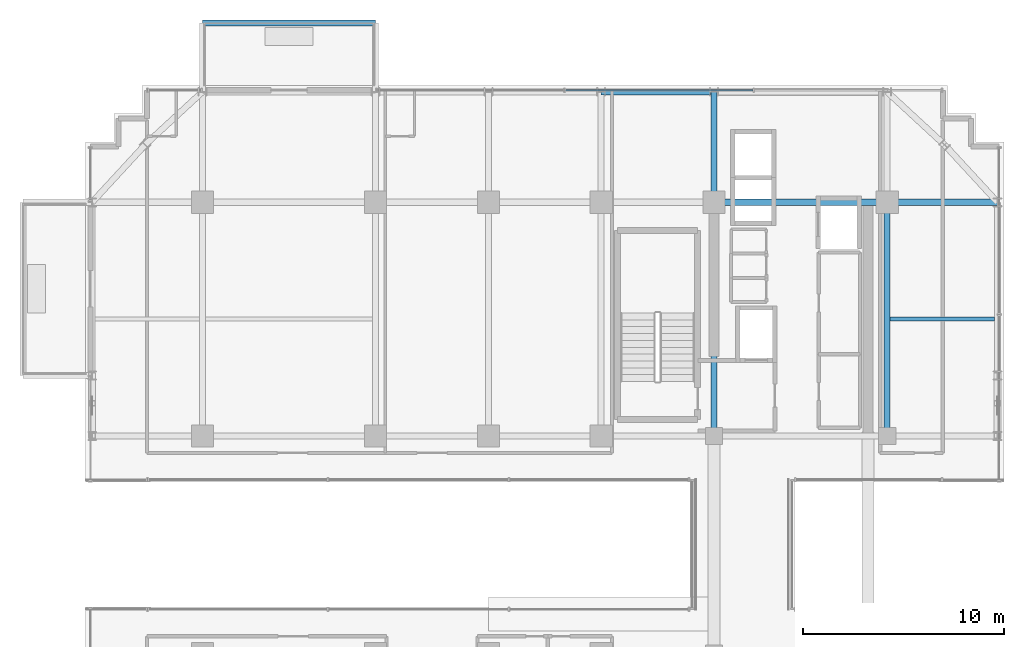
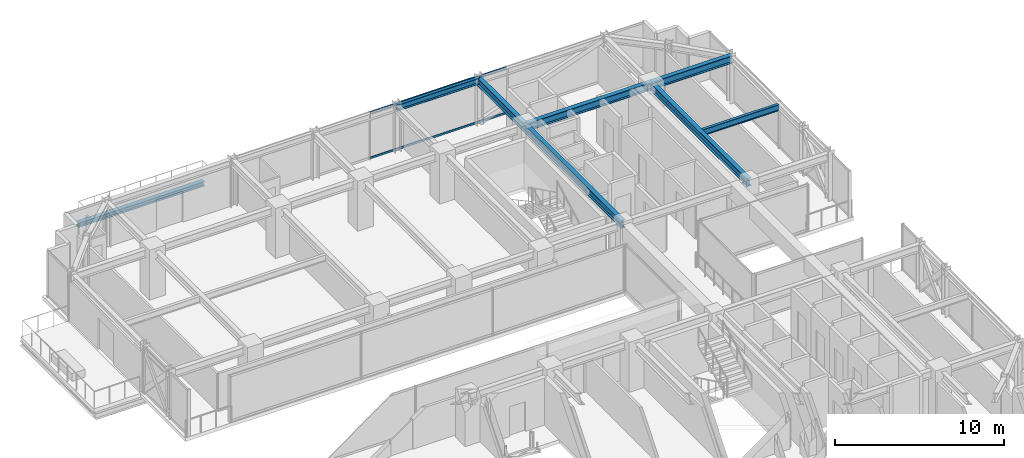
# One storey, part 26 of 37: 8 beams, 2 members, 1 element without a shape of its own.
"""IFC4 building model written with IfcOpenShell, lengths in metres."""

from ifc_helpers import new_model, si_unit, direction, frame, origin, origin_2d, place, context, subcontext, project, spatial, hollow_rectangle, i_section, extrude, source, transform, mapped, material, material_profile, profile_set, type_object, element, aggregate, save


model = new_model("IFC4")

# Units and contexts
model_context = context("Model", 3, precision=1e-05, world=origin(), true_north=direction((0.0, 1.0)))
body_context = subcontext(model_context, "Body", "Model", "MODEL_VIEW")
ifc_project = project(units=[si_unit("LENGTHUNIT", "METRE"), si_unit("AREAUNIT", "SQUARE_METRE"), si_unit("VOLUMEUNIT", "CUBIC_METRE"), si_unit("PLANEANGLEUNIT", "RADIAN"), si_unit("MASSUNIT", "GRAM", prefix="KILO")], contexts=[model_context])

# Site, building, storey
site_placement = place(None, origin())
site = spatial("IfcSite", under=ifc_project, at=site_placement, CompositionType="ELEMENT")
building_placement = place(site_placement, origin())
building = spatial("IfcBuilding", under=site, at=building_placement, Name="Nahalor Promenade Grand Hotel", CompositionType="ELEMENT")
storey_placement = place(building_placement, frame((0.0, 0.0, 167.25)))
storey = spatial("IfcBuildingStorey", under=building, at=storey_placement, Name="L42", CompositionType="ELEMENT", Elevation=167.25)

# Beams
ifc_material_1 = material(Name="Steel S355JR", Category="steel")
ifc_material_profile_1 = material_profile(ifc_material_1, i_section(OverallWidth=0.3, OverallDepth=0.32, WebThickness=0.0115, FlangeThickness=0.0205, at=origin_2d()), Name="HEB 320")
ifc_profile_set_1 = profile_set([ifc_material_profile_1], Name="Steel S355JR")
beam_type_1 = type_object("IfcBeamType", Name="Beam-BalcEdge-HEB320", PredefinedType="SPANDREL", material=ifc_profile_set_1)
shared_shape_1 = source(origin(), body_context, "Body", "SweptSolid", [
    extrude(i_section(OverallWidth=0.3, OverallDepth=0.32, WebThickness=0.0115, FlangeThickness=0.0205, at=origin_2d()), origin(), (0.0, 0.0, 1.0), 8.60009765625),
])
beam_1_placement = place(storey_placement, frame((-17.0, 25.89990234375, -0.43994140625), z_axis=(1.0, 0.0, 0.0), x_axis=(0.0, 1.0, 0.0)))
element("IfcBeam", 1, at=beam_1_placement, inside=storey, type_object=beam_type_1, Name="BM-L42-BC-01-F", PredefinedType="SPANDREL", context=body_context, shape_type="MappedRepresentation", body=[
    mapped(shared_shape_1, transform((0.0, 0.0, 0.0), scale=1.0)),
])
ifc_material_profile_2 = material_profile(ifc_material_1, i_section(OverallWidth=0.3, OverallDepth=0.55, WebThickness=0.015, FlangeThickness=0.029, at=origin_2d()), Name="HEB 550")
ifc_profile_set_2 = profile_set([ifc_material_profile_2], Name="Steel S355JR")
beam_type_2 = type_object("IfcBeamType", Name="Beam-Girder-HEB550", PredefinedType="BEAM", material=ifc_profile_set_2)
shared_shape_2 = source(origin(), body_context, "Body", "SweptSolid", [
    extrude(i_section(OverallWidth=0.3, OverallDepth=0.55, WebThickness=0.015, FlangeThickness=0.029, at=origin_2d()), origin(), (0.0, 0.0, 1.0), 8.60009765625),
])
beam_2_placement = place(storey_placement, frame((8.39990234375, 17.0, 3.114990234375), z_axis=(1.0, 0.0, 0.0), x_axis=(0.0, 1.0, 0.0)))
element("IfcBeam", 2, at=beam_2_placement, inside=storey, type_object=beam_type_2, Name="BM-L42-GX-3-5", PredefinedType="BEAM", context=body_context, shape_type="MappedRepresentation", body=[
    mapped(shared_shape_2, transform((0.0, 0.0, 0.0), scale=1.0)),
])
shared_shape_3 = source(origin(), body_context, "Body", "SweptSolid", [
    extrude(i_section(OverallWidth=0.3, OverallDepth=0.55, WebThickness=0.015, FlangeThickness=0.029, at=origin_2d()), origin(), (0.0, 0.0, 1.0), 11.60009765625),
])
for number, where, z_axis, x_axis, name in (
    (3, (8.39990234375, 5.39990234375, 3.114990234375), (0.0, 1.0, 0.0), (-1.0, 0.0, 0.0), "BM-L42-GY-4-3"),
    (4, (17.0, 5.39990234375, 3.114990234375), (0.0, 1.0, 0.0), (-1.0, 0.0, 0.0), "BM-L42-GY-5-3"),
):
    element("IfcBeam", number, at=place(storey_placement, frame(where, z_axis=z_axis, x_axis=x_axis)), inside=storey, type_object=beam_type_2, Name=name, PredefinedType="BEAM", context=body_context, shape_type="MappedRepresentation", body=[
        mapped(shared_shape_3, transform((0.0, 0.0, 0.0), scale=1.0)),
    ])
shared_shape_4 = source(origin(), body_context, "Body", "SweptSolid", [
    extrude(i_section(OverallWidth=0.3, OverallDepth=0.55, WebThickness=0.015, FlangeThickness=0.029, at=origin_2d()), origin(), (0.0, 0.0, 1.0), 5.47998046875),
])
for number, where, z_axis, x_axis, name in (
    (5, (17.0, 17.0, 3.114990234375), (1.0, 0.0, 0.0), (0.0, 1.0, 0.0), "BM-L42-GX-3-6"),
    (6, (8.39990234375, 17.0, 3.114990234375), (0.0, 1.0, 0.0), (-1.0, 0.0, 0.0), "BM-L42-GY-4-4"),
):
    element("IfcBeam", number, at=place(storey_placement, frame(where, z_axis=z_axis, x_axis=x_axis)), inside=storey, type_object=beam_type_2, Name=name, PredefinedType="BEAM", context=body_context, shape_type="MappedRepresentation", body=[
        mapped(shared_shape_4, transform((0.0, 0.0, 0.0), scale=1.0)),
    ])
ifc_material_profile_3 = material_profile(ifc_material_1, i_section(OverallWidth=0.19, OverallDepth=0.45, WebThickness=0.0094, FlangeThickness=0.0146, at=origin_2d()), Name="IPE 450")
ifc_profile_set_3 = profile_set([ifc_material_profile_3], Name="Steel S355JR")
beam_type_3 = type_object("IfcBeamType", Name="Beam-Joist-IPE450", PredefinedType="JOIST", material=ifc_profile_set_3)
shared_shape_5 = source(origin(), body_context, "Body", "SweptSolid", [
    extrude(i_section(OverallWidth=0.19, OverallDepth=0.45, WebThickness=0.0094, FlangeThickness=0.0146, at=origin_2d()), origin(), (0.0, 0.0, 1.0), 5.18017578125),
])
beam_3_placement = place(storey_placement, frame((17.14990234375, 11.199951171875, 3.1650390625), z_axis=(1.0, 0.0, 0.0), x_axis=(0.0, 1.0, 0.0)))
element("IfcBeam", 7, at=beam_3_placement, inside=storey, type_object=beam_type_3, Name="BM-L42-JSE-1-2", PredefinedType="JOIST", context=body_context, shape_type="MappedRepresentation", body=[
    mapped(shared_shape_5, transform((0.0, 0.0, 0.0), scale=1.0)),
])
ifc_material_profile_4 = material_profile(ifc_material_1, i_section(OverallWidth=0.3, OverallDepth=0.45, WebThickness=0.014, FlangeThickness=0.026, at=origin_2d()), Name="HEB 450")
ifc_profile_set_4 = profile_set([ifc_material_profile_4], Name="Steel S355JR")
beam_type_4 = type_object("IfcBeamType", Name="Beam-Spandrel-HEB450", PredefinedType="SPANDREL", material=ifc_profile_set_4)
shared_shape_6 = source(origin(), body_context, "Body", "SweptSolid", [
    extrude(i_section(OverallWidth=0.3, OverallDepth=0.45, WebThickness=0.014, FlangeThickness=0.026, at=origin_2d()), origin(), (0.0, 0.0, 1.0), 5.599853515625),
])
beam_4_placement = place(storey_placement, frame((2.800048828125, 22.47998046875, 3.1650390625), z_axis=(1.0, 0.0, 0.0), x_axis=(0.0, 1.0, 0.0)))
element("IfcBeam", 8, at=beam_4_placement, inside=storey, type_object=beam_type_4, Name="BM-L42-SP-N-3", PredefinedType="SPANDREL", context=body_context, shape_type="MappedRepresentation", body=[
    mapped(shared_shape_6, transform((0.0, 0.0, 0.0), scale=1.0)),
])

# Curtain wall, members
ifc_material_2 = material(Name="Anodised Bronze Aluminium EN AW-6063 T6", Category="aluminium")
curtain_wall_type = type_object("IfcCurtainWallType", Name="CW3 Elliptical-Void Collar Unitised Curtain Wall", PredefinedType="USERDEFINED", material=ifc_material_2)
curtain_wall_placement = place(storey_placement, origin())
curtain_wall = element("IfcCurtainWall", 9, at=curtain_wall_placement, inside=storey, type_object=curtain_wall_type, Name="L42 Curtain Wall CW-L42-N-3", ObjectType="UNITISED_CURTAIN_WALL", PredefinedType="USERDEFINED")
ifc_material_profile_5 = material_profile(ifc_material_2, hollow_rectangle(XDim=0.07, YDim=0.14, WallThickness=0.004, at=origin_2d()), Name="CWT 70x140x4")
ifc_profile_set_5 = profile_set([ifc_material_profile_5], Name="Anodised Bronze Aluminium EN AW-6063 T6")
member_type = type_object("IfcMemberType", Name="CWT3 Void Collar Transom 70x140", PredefinedType="USERDEFINED", material=ifc_profile_set_5)
shared_shape_7 = source(origin(), body_context, "Body", "SweptSolid", [
    extrude(hollow_rectangle(XDim=0.07, YDim=0.14, WallThickness=0.004, at=origin_2d()), origin(), (0.0, 0.0, 1.0), 9.316650390625),
])
member_1_placement = place(storey_placement, frame((1.021728515625, 22.56005859375, 0.070068359375), z_axis=(1.0, 0.0, 0.0), x_axis=(0.0, 1.0, 0.0)))
member_1 = element("IfcMember", 10, at=member_1_placement, type_object=member_type, Name="CW-L42-N-3 Transom 1-0", ObjectType="TRANSOM", PredefinedType="USERDEFINED", context=body_context, shape_type="MappedRepresentation", body=[
    mapped(shared_shape_7, transform((0.0, 0.0, 0.0), scale=1.0)),
])
member_2_placement = place(storey_placement, frame((1.021728515625, 22.56005859375, 3.320068359375), z_axis=(1.0, 0.0, 0.0), x_axis=(0.0, 1.0, 0.0)))
member_2 = element("IfcMember", 11, at=member_2_placement, type_object=member_type, Name="CW-L42-N-3 Transom 1-1", ObjectType="TRANSOM", PredefinedType="USERDEFINED", context=body_context, shape_type="MappedRepresentation", body=[
    mapped(shared_shape_7, transform((0.0, 0.0, 0.0), scale=1.0)),
])
aggregate(curtain_wall, [member_1, member_2])

save(model, "model.ifc")
